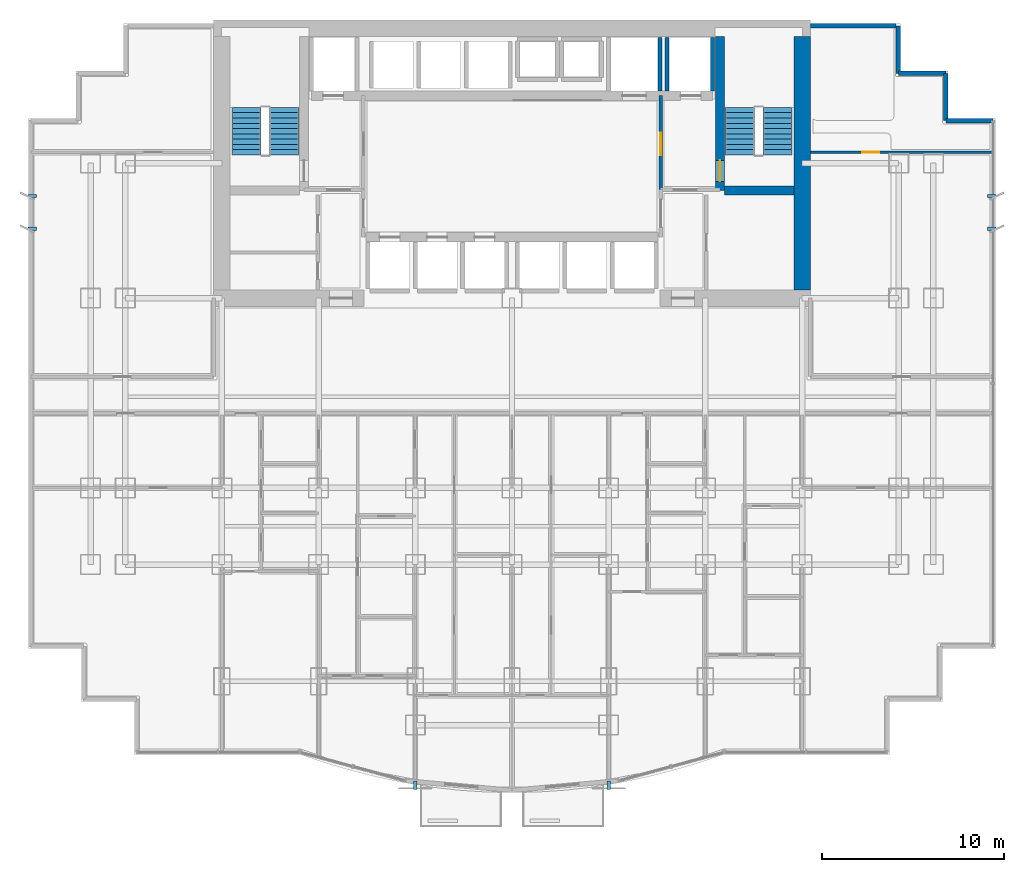
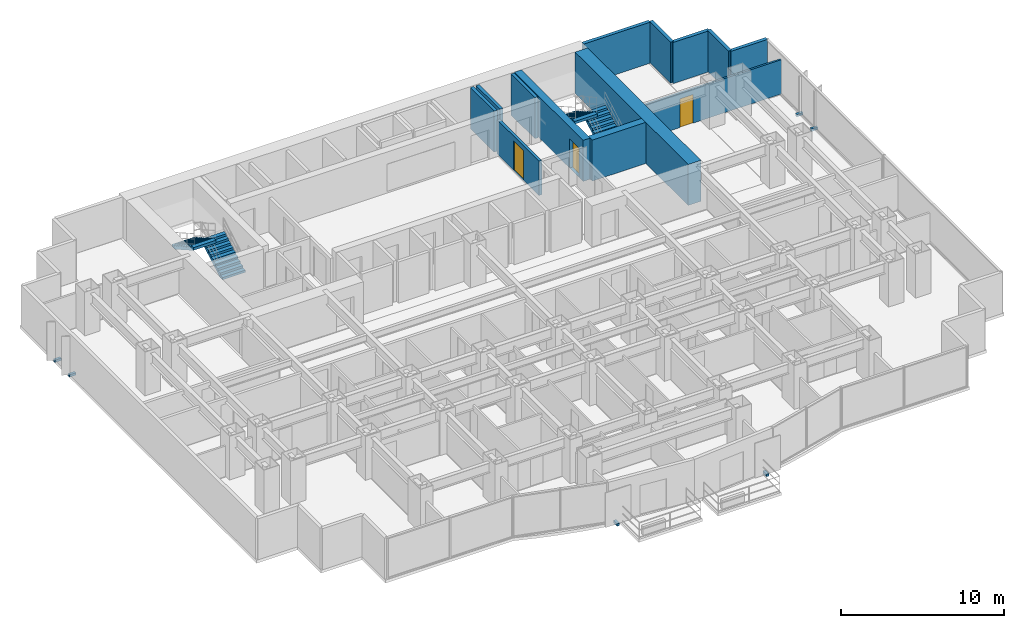
# One storey, part 10 of 12: 13 walls, 6 discrete accessories, 4 stair flights, 3 doors, 3 openings, 2 elements without a shape of their own.
"""IFC4 building model written with IfcOpenShell, lengths in metres."""

from ifc_helpers import new_model, si_unit, direction, frame, frame_2d, origin, origin_2d, place, context, subcontext, project, spatial, polyline, rectangle, outline, extrude, source, transform, mapped, material, layer, layer_set, type_object, element, fill, aggregate, save


model = new_model("IFC4")

# Units and contexts
model_context = context("Model", 3, precision=1e-05, world=origin(), true_north=direction((0.0, 1.0)))
body_context = subcontext(model_context, "Body", "Model", "MODEL_VIEW")
ifc_project = project(units=[si_unit("LENGTHUNIT", "METRE"), si_unit("AREAUNIT", "SQUARE_METRE"), si_unit("VOLUMEUNIT", "CUBIC_METRE"), si_unit("PLANEANGLEUNIT", "RADIAN"), si_unit("MASSUNIT", "GRAM", prefix="KILO")], contexts=[model_context])

# Site, building, storey
site_placement = place(None, origin())
site = spatial("IfcSite", under=ifc_project, at=site_placement, CompositionType="ELEMENT")
building_placement = place(site_placement, origin())
building = spatial("IfcBuilding", under=site, at=building_placement, Name="Qianlan Lanfeng Residences", CompositionType="ELEMENT")
storey_placement = place(building_placement, frame((0.0, 0.0, 63.800048828125)))
storey = spatial("IfcBuildingStorey", under=building, at=storey_placement, Name="L17", CompositionType="ELEMENT", Elevation=63.800048828125)

# Wall, opening, door
ifc_material_1 = material(Name="Concrete C70", Category="concrete")
ifc_layer_1 = layer(ifc_material_1, 0.5)
ifc_layer_set_1 = layer_set([ifc_layer_1], Name="Concrete C70")
wall_type_1 = type_object("IfcWallType", Name="CW-RC-500", PredefinedType="SHEAR", material=ifc_layer_set_1)
wall_1_placement = place(storey_placement, frame((37.89990234375, 31.10009765625, 0.0), z_axis=(0.0, 0.0, 1.0), x_axis=(0.0, 1.0, 0.0)))
wall_1 = element("IfcWall", 1, at=wall_1_placement, inside=storey, type_object=wall_type_1, Name="L17 Core Shear Wall ST2W", PredefinedType="SHEAR", context=body_context, shape_type="SweptSolid", body=[
    extrude(rectangle(XDim=8.449951171875, YDim=0.5, at=frame_2d((4.22509765625, 0.0))), origin(), (0.0, 0.0, 1.0), 3.079833984375),
])
opening_1_placement = place(wall_1_placement, frame((0.510009765625, 0.0, 0.0)))
opening_1 = element("IfcOpeningElement", 2, at=opening_1_placement, cuts=wall_1, Name="Opening L17-D08", PredefinedType="OPENING", context=body_context, shape_type="SweptSolid", body=[
    extrude(rectangle(XDim=1.14990234375, YDim=2.199951171875, at=frame_2d((0.574951171875, 1.10009765625))), frame((0.0, 0.260009765625, 0.0), z_axis=(0.0, -1.0, 0.0), x_axis=(1.0, 0.0, 0.0)), (0.0, 0.0, 1.0), 0.52001953125),
])
ifc_material_2 = material(Name="Painted Galvanised Steel Fire Door", Category="steel")
door_type_1 = type_object("IfcDoorType", Name="DT-ST1", OperationType="NOTDEFINED", PredefinedType="DOOR", material=ifc_material_2)
door_1_placement = place(opening_1_placement, origin())
door_1 = element("IfcDoor", 3, at=door_1_placement, inside=storey, type_object=door_type_1, Name="L17 Exit Stair ST-2 Door L17-D08 (DT-ST1)", OperationType="SINGLE_SWING_RIGHT", OverallHeight=2.199951171875, OverallWidth=1.14990234375, PredefinedType="DOOR", context=body_context, shape_type="SweptSolid", body=[
    extrude(rectangle(XDim=1.14990234375, YDim=2.199951171875, at=frame_2d((0.574951171875, 1.10009765625))), frame((0.0, 0.02490234375, 0.0), z_axis=(0.0, -1.0, 0.0), x_axis=(1.0, 0.0, 0.0)), (0.0, 0.0, 1.0), 0.050048828125),
])
fill(opening_1, door_1)

# Walls
wall_2_placement = place(storey_placement, frame((38.14990234375, 31.10009765625, 0.0), z_axis=(0.0, 0.0, 1.0), x_axis=(1.0, 0.0, 0.0)))
element("IfcWall", 4, at=wall_2_placement, inside=storey, type_object=wall_type_1, Name="L17 Core Shear Wall ST2S", PredefinedType="SHEAR", context=body_context, shape_type="SweptSolid", body=[
    extrude(rectangle(XDim=3.800048828125, YDim=0.5, at=frame_2d((1.89990234375, 0.0))), origin(), (0.0, 0.0, 1.0), 3.079833984375),
])
ifc_layer_2 = layer(ifc_material_1, 0.89990234375)
ifc_layer_set_2 = layer_set([ifc_layer_2], Name="Concrete C70")
wall_type_2 = type_object("IfcWallType", Name="CW-RC-900", PredefinedType="SHEAR", material=ifc_layer_set_2)
wall_3_placement = place(storey_placement, frame((42.39990234375, 25.64990234375, 0.0), z_axis=(0.0, 0.0, 1.0), x_axis=(0.0, 1.0, 0.0)))
element("IfcWall", 5, at=wall_3_placement, inside=storey, type_object=wall_type_2, Name="L17 Core Shear Wall E", PredefinedType="SHEAR", context=body_context, shape_type="SweptSolid", body=[
    extrude(rectangle(XDim=13.900146484375, YDim=0.89990234375, at=frame_2d((6.9501953125, 0.0))), origin(), (0.0, 0.0, 1.0), 3.079833984375),
])
ifc_material_3 = material(Name="Concrete C42", Category="concrete")
ifc_layer_3 = layer(ifc_material_3, 0.239990234375)
ifc_layer_set_3 = layer_set([ifc_layer_3], Name="Concrete C42")
wall_type_3 = type_object("IfcWallType", Name="EW-240", PredefinedType="SOLIDWALL", material=ifc_layer_set_3)
wall_4_placement = place(storey_placement, frame((52.8798828125, 34.929931640625, 0.0), z_axis=(0.0, 0.0, 1.0), x_axis=(-1.0, 0.0, 0.0)))
element("IfcWall", 6, at=wall_4_placement, inside=storey, type_object=wall_type_3, Name="L17 Exterior Facade Spandrel Wall 11", PredefinedType="SOLIDWALL", context=body_context, shape_type="SweptSolid", body=[
    extrude(rectangle(XDim=2.599853515625, YDim=0.239990234375, at=frame_2d((1.2998046875, 0.0))), origin(), (0.0, 0.0, 1.0), 3.079833984375),
])
for number, where, z_axis, x_axis, name in (
    (7, (50.280029296875, 34.929931640625, 0.0), (0.0, 0.0, 1.0), (0.0, 1.0, 0.0), "L17 Exterior Facade Spandrel Wall 12"),
    (8, (50.280029296875, 37.530029296875, 0.0), (0.0, 0.0, 1.0), (-1.0, 0.0, 0.0), "L17 Exterior Facade Spandrel Wall 13"),
):
    element("IfcWall", number, at=place(storey_placement, frame(where, z_axis=z_axis, x_axis=x_axis)), inside=storey, type_object=wall_type_3, Name=name, PredefinedType="SOLIDWALL", context=body_context, shape_type="SweptSolid", body=[
        extrude(rectangle(XDim=2.60009765625, YDim=0.239990234375, at=frame_2d((1.300048828125, 0.0))), origin(), (0.0, 0.0, 1.0), 3.079833984375),
    ])
wall_5_placement = place(storey_placement, frame((47.679931640625, 37.530029296875, 0.0), z_axis=(0.0, 0.0, 1.0), x_axis=(0.0, 1.0, 0.0)))
element("IfcWall", 9, at=wall_5_placement, inside=storey, type_object=wall_type_3, Name="L17 Exterior Facade Spandrel Wall 14", PredefinedType="SOLIDWALL", context=body_context, shape_type="SweptSolid", body=[
    extrude(rectangle(XDim=2.599853515625, YDim=0.239990234375, at=frame_2d((1.2998046875, 0.0))), origin(), (0.0, 0.0, 1.0), 3.079833984375),
])
wall_6_placement = place(storey_placement, frame((47.550048828125, 40.1298828125, 0.0), z_axis=(0.0, 0.0, 1.0), x_axis=(-1.0, 0.0, 0.0)))
element("IfcWall", 10, at=wall_6_placement, inside=storey, type_object=wall_type_3, Name="L17 North Wing Exterior Wall E", PredefinedType="SOLIDWALL", context=body_context, shape_type="SweptSolid", body=[
    extrude(rectangle(XDim=4.699951171875, YDim=0.239990234375, at=frame_2d((2.35009765625, 0.0))), origin(), (0.0, 0.0, 1.0), 3.079833984375),
])

# Wall, opening, door
ifc_material_4 = material(Name="Moisture-Resistant Gypsum Partition 135 mm")
ifc_layer_4 = layer(ifc_material_4, 0.135009765625)
ifc_layer_set_4 = layer_set([ifc_layer_4], Name="Moisture-Resistant Gypsum Partition 135 mm")
wall_type_4 = type_object("IfcWallType", Name="PW-135", PredefinedType="PARTITIONING", material=ifc_layer_set_4)
wall_7_placement = place(storey_placement, frame((42.85009765625, 33.199951171875, 0.0), z_axis=(0.0, 0.0, 1.0), x_axis=(1.0, 0.0, 0.0)))
wall_7 = element("IfcWall", 11, at=wall_7_placement, inside=storey, type_object=wall_type_4, Name="L17 EW North Wing Wall", PredefinedType="PARTITIONING", context=body_context, shape_type="SweptSolid", body=[
    extrude(rectangle(XDim=10.02978515625, YDim=0.135009765625, at=frame_2d((5.014892578125, 0.0))), origin(), (0.0, 0.0, 1.0), 2.570068359375),
])
opening_2_placement = place(wall_7_placement, frame((2.85498046875, 0.0, 0.0)))
opening_2 = element("IfcOpeningElement", 12, at=opening_2_placement, cuts=wall_7, Name="Opening L17-D48", PredefinedType="OPENING", context=body_context, shape_type="SweptSolid", body=[
    extrude(rectangle(XDim=0.919921875, YDim=2.14990234375, at=frame_2d((0.4599609375, 1.074951171875))), frame((0.0, 0.07763671875, 0.0), z_axis=(0.0, -1.0, 0.0), x_axis=(1.0, 0.0, 0.0)), (0.0, 0.0, 1.0), 0.155029296875),
])
ifc_material_5 = material(Name="Glazed Timber Kitchen/Study Door", Category="wood")
door_type_2 = type_object("IfcDoorType", Name="DT-INT", OperationType="NOTDEFINED", PredefinedType="DOOR", material=ifc_material_5)
door_2_placement = place(opening_2_placement, origin())
door_2 = element("IfcDoor", 13, at=door_2_placement, inside=storey, type_object=door_type_2, Name="L17 EW Inner Salon Door L17-D48 (DT-INT)", OperationType="SINGLE_SWING_LEFT", OverallHeight=2.14990234375, OverallWidth=0.919921875, PredefinedType="DOOR", context=body_context, shape_type="SweptSolid", body=[
    extrude(rectangle(XDim=0.919921875, YDim=2.14990234375, at=frame_2d((0.4599609375, 1.074951171875))), frame((0.0, 0.02490234375, 0.0), z_axis=(0.0, -1.0, 0.0), x_axis=(1.0, 0.0, 0.0)), (0.0, 0.0, 1.0), 0.050048828125),
])
fill(opening_2, door_2)

ifc_material_6 = material(Name="Autoclaved Aerated Concrete Blockwork 200 mm", Category="masonry")
ifc_layer_5 = layer(ifc_material_6, 0.199951171875)
ifc_layer_set_5 = layer_set([ifc_layer_5], Name="Autoclaved Aerated Concrete Blockwork 200 mm")
wall_type_5 = type_object("IfcWallType", Name="PW-200", PredefinedType="PARTITIONING", material=ifc_layer_set_5)
wall_8_placement = place(storey_placement, frame((34.64990234375, 31.14990234375, 0.0), z_axis=(0.0, 0.0, 1.0), x_axis=(0.0, 1.0, 0.0)))
wall_8 = element("IfcWall", 14, at=wall_8_placement, inside=storey, type_object=wall_type_5, Name="L17 Firefighting Lobby 2 West Wall", PredefinedType="PARTITIONING", context=body_context, shape_type="SweptSolid", body=[
    extrude(rectangle(XDim=5.150146484375, YDim=0.199951171875, at=frame_2d((2.5751953125, 0.0))), origin(), (0.0, 0.0, 1.0), 2.570068359375),
])
opening_3_placement = place(wall_8_placement, frame((1.875, 0.0, 0.0)))
opening_3 = element("IfcOpeningElement", 15, at=opening_3_placement, cuts=wall_8, Name="Opening L17-D06", PredefinedType="OPENING", context=body_context, shape_type="SweptSolid", body=[
    extrude(rectangle(XDim=1.25, YDim=2.199951171875, at=frame_2d((0.625, 1.10009765625))), frame((0.0, 0.10986328125, 0.0), z_axis=(0.0, -1.0, 0.0), x_axis=(1.0, 0.0, 0.0)), (0.0, 0.0, 1.0), 0.219970703125),
])
door_type_3 = type_object("IfcDoorType", Name="DT-FFL", OperationType="NOTDEFINED", PredefinedType="DOOR", material=ifc_material_2)
door_3_placement = place(opening_3_placement, origin())
door_3 = element("IfcDoor", 16, at=door_3_placement, inside=storey, type_object=door_type_3, Name="L17 Firefighting Lobby 2 Lift Lobby Door L17-D06 (DT-FFL)", OperationType="SINGLE_SWING_LEFT", OverallHeight=2.199951171875, OverallWidth=1.25, PredefinedType="DOOR", context=body_context, shape_type="SweptSolid", body=[
    extrude(rectangle(XDim=1.25, YDim=2.199951171875, at=frame_2d((0.625, 1.10009765625))), frame((0.0, 0.02490234375, 0.0), z_axis=(0.0, -1.0, 0.0), x_axis=(1.0, 0.0, 0.0)), (0.0, 0.0, 1.0), 0.050048828125),
])
fill(opening_3, door_3)

# Walls
ifc_material_7 = material(Name="Concrete C49", Category="concrete")
ifc_layer_6 = layer(ifc_material_7, 0.219970703125)
ifc_layer_set_6 = layer_set([ifc_layer_6], Name="Concrete C49")
wall_type_6 = type_object("IfcWallType", Name="SHW-220", PredefinedType="SOLIDWALL", material=ifc_layer_set_6)
for number, where, z_axis, x_axis, name in (
    (17, (35.0, 36.550048828125, 0.0), (0.0, 0.0, 1.0), (0.0, 1.0, 0.0), "L17 Lift FFL-2 Shaft Wall W"),
    (18, (37.47998046875, 36.550048828125, 0.0), (0.0, 0.0, 1.0), (0.0, 1.0, 0.0), "L17 Lift FFL-2 Shaft Wall E"),
    (19, (34.60009765625, 36.550048828125, 0.0), (0.0, 0.0, 1.0), (0.0, 1.0, 0.0), "L17 Lift SVL-1 Shaft Wall E"),
):
    element("IfcWall", number, at=place(storey_placement, frame(where, z_axis=z_axis, x_axis=x_axis)), inside=storey, type_object=wall_type_6, Name=name, PredefinedType="SOLIDWALL", context=body_context, shape_type="SweptSolid", body=[
        extrude(rectangle(XDim=2.929931640625, YDim=0.219970703125, at=frame_2d((1.46484375, 0.0))), origin(), (0.0, 0.0, 1.0), 3.079833984375),
    ])

# Stair, stair flights
stair_type = type_object("IfcStairType", Name="STR-MAIN", PredefinedType="HALF_TURN_STAIR", material=ifc_material_3)
stair_1_placement = place(storey_placement, origin())
stair_1 = element("IfcStair", 20, at=stair_1_placement, inside=storey, type_object=stair_type, Name="L17 Exit Stair ST-1", PredefinedType="HALF_TURN_STAIR")
stair_flight_type = type_object("IfcStairFlightType", Name="FLT-1720", PredefinedType="STRAIGHT", material=ifc_material_3)
stair_flight_1_placement = place(storey_placement, frame((14.02001953125, 33.050048828125, 0.0), z_axis=(0.0, 0.0, 1.0), x_axis=(0.0, 1.0, 0.0)))
stair_flight_1 = element("IfcStairFlight", 21, at=stair_flight_1_placement, type_object=stair_flight_type, Name="ST-1 flight 1", NumberOfRisers=10, NumberOfTreads=9, PredefinedType="STRAIGHT", RiserHeight=0.165, TreadLength=0.29, context=body_context, shape_type="SweptSolid", body=[
    extrude(outline(polyline([(0.0, 0.0), (0.0, 0.1650390625), (0.2900390625, 0.1650390625), (0.2900390625, 0.330078125), (0.580078125, 0.330078125), (0.580078125, 0.4951171875), (0.8701171875, 0.4951171875), (0.8701171875, 0.659912109375), (1.159912109375, 0.659912109375), (1.159912109375, 0.824951171875), (1.449951171875, 0.824951171875), (1.449951171875, 0.989990234375), (1.739990234375, 0.989990234375), (1.739990234375, 1.155029296875), (2.030029296875, 1.155029296875), (2.030029296875, 1.320068359375), (2.320068359375, 1.320068359375), (2.320068359375, 1.485107421875), (2.610107421875, 1.485107421875), (2.610107421875, 1.64990234375), (2.610107421875, 1.278076171875), (0.36376953125, 0.0), (0.0, 0.0)])), frame((0.0, 0.800048828125, 0.0), z_axis=(0.0, -1.0, 0.0), x_axis=(1.0, 0.0, 0.0)), (0.0, 0.0, 1.0), 1.60009765625),
])
stair_flight_2_placement = place(storey_placement, frame((11.93994140625, 35.659912109375, 1.64990234375), z_axis=(0.0, 0.0, 1.0), x_axis=(0.0, -1.0, 0.0)))
stair_flight_2 = element("IfcStairFlight", 22, at=stair_flight_2_placement, type_object=stair_flight_type, Name="ST-1 flight 2", NumberOfRisers=10, NumberOfTreads=9, PredefinedType="STRAIGHT", RiserHeight=0.165, TreadLength=0.29, context=body_context, shape_type="SweptSolid", body=[
    extrude(outline(polyline([(0.0, 0.0), (0.0, 0.1650390625), (0.2900390625, 0.1650390625), (0.2900390625, 0.330078125), (0.580078125, 0.330078125), (0.580078125, 0.4951171875), (0.8701171875, 0.4951171875), (0.8701171875, 0.659912109375), (1.159912109375, 0.659912109375), (1.159912109375, 0.824951171875), (1.449951171875, 0.824951171875), (1.449951171875, 0.989990234375), (1.739990234375, 0.989990234375), (1.739990234375, 1.155029296875), (2.030029296875, 1.155029296875), (2.030029296875, 1.320068359375), (2.320068359375, 1.320068359375), (2.320068359375, 1.485107421875), (2.610107421875, 1.485107421875), (2.610107421875, 1.64990234375), (2.610107421875, 1.278076171875), (0.36376953125, 0.0), (0.0, 0.0)])), frame((0.0, 0.800048828125, 0.0), z_axis=(0.0, -1.0, 0.0), x_axis=(1.0, 0.0, 0.0)), (0.0, 0.0, 1.0), 1.60009765625),
])
aggregate(stair_1, [stair_flight_1, stair_flight_2])

stair_2_placement = place(storey_placement, origin())
stair_2 = element("IfcStair", 23, at=stair_2_placement, inside=storey, type_object=stair_type, Name="L17 Exit Stair ST-2", PredefinedType="HALF_TURN_STAIR")
stair_flight_3_placement = place(storey_placement, frame((41.06005859375, 33.050048828125, 0.0), z_axis=(0.0, 0.0, 1.0), x_axis=(0.0, 1.0, 0.0)))
stair_flight_3 = element("IfcStairFlight", 24, at=stair_flight_3_placement, type_object=stair_flight_type, Name="ST-2 flight 1", NumberOfRisers=10, NumberOfTreads=9, PredefinedType="STRAIGHT", RiserHeight=0.165, TreadLength=0.29, context=body_context, shape_type="SweptSolid", body=[
    extrude(outline(polyline([(0.0, 0.0), (0.0, 0.1650390625), (0.2900390625, 0.1650390625), (0.2900390625, 0.330078125), (0.580078125, 0.330078125), (0.580078125, 0.4951171875), (0.8701171875, 0.4951171875), (0.8701171875, 0.659912109375), (1.159912109375, 0.659912109375), (1.159912109375, 0.824951171875), (1.449951171875, 0.824951171875), (1.449951171875, 0.989990234375), (1.739990234375, 0.989990234375), (1.739990234375, 1.155029296875), (2.030029296875, 1.155029296875), (2.030029296875, 1.320068359375), (2.320068359375, 1.320068359375), (2.320068359375, 1.485107421875), (2.610107421875, 1.485107421875), (2.610107421875, 1.64990234375), (2.610107421875, 1.278076171875), (0.36376953125, 0.0), (0.0, 0.0)])), frame((0.0, 0.800048828125, 0.0), z_axis=(0.0, -1.0, 0.0), x_axis=(1.0, 0.0, 0.0)), (0.0, 0.0, 1.0), 1.60009765625),
])
stair_flight_4_placement = place(storey_placement, frame((38.97998046875, 35.659912109375, 1.64990234375), z_axis=(0.0, 0.0, 1.0), x_axis=(0.0, -1.0, 0.0)))
stair_flight_4 = element("IfcStairFlight", 25, at=stair_flight_4_placement, type_object=stair_flight_type, Name="ST-2 flight 2", NumberOfRisers=10, NumberOfTreads=9, PredefinedType="STRAIGHT", RiserHeight=0.165, TreadLength=0.29, context=body_context, shape_type="SweptSolid", body=[
    extrude(outline(polyline([(0.0, 0.0), (0.0, 0.1650390625), (0.2900390625, 0.1650390625), (0.2900390625, 0.330078125), (0.580078125, 0.330078125), (0.580078125, 0.4951171875), (0.8701171875, 0.4951171875), (0.8701171875, 0.659912109375), (1.159912109375, 0.659912109375), (1.159912109375, 0.824951171875), (1.449951171875, 0.824951171875), (1.449951171875, 0.989990234375), (1.739990234375, 0.989990234375), (1.739990234375, 1.155029296875), (2.030029296875, 1.155029296875), (2.030029296875, 1.320068359375), (2.320068359375, 1.320068359375), (2.320068359375, 1.485107421875), (2.610107421875, 1.485107421875), (2.610107421875, 1.64990234375), (2.610107421875, 1.278076171875), (0.36376953125, 0.0), (0.0, 0.0)])), frame((0.0, 0.800048828125, 0.0), z_axis=(0.0, -1.0, 0.0), x_axis=(1.0, 0.0, 0.0)), (0.0, 0.0, 1.0), 1.60009765625),
])
aggregate(stair_2, [stair_flight_3, stair_flight_4])

# Discrete accessories
ifc_material_8 = material(Name="Stainless Steel Facade Bracket", Category="steel")
discrete_accessory_type = type_object("IfcDiscreteAccessoryType", Name="BRK-SS-350", PredefinedType="BRACKET", material=ifc_material_8)
shared_shape_1 = source(origin(), body_context, "Body", "SweptSolid", [
    extrude(rectangle(XDim=0.179931640625, YDim=0.449951171875, at=origin_2d()), origin(), (0.0, 0.0, 1.0), 0.179931640625),
])
for number, where, z_axis, x_axis, name in (
    (26, (21.199951171875, -1.5, -0.14990234375), (0.0, 0.0, 1.0), (1.0, 0.0, 0.0), "L17 Solar Screen Support Bracket 1"),
    (27, (31.800048828125, -1.5, -0.14990234375), (0.0, 0.0, 1.0), (1.0, 0.0, 0.0), "L17 Solar Screen Support Bracket 2"),
):
    element("IfcDiscreteAccessory", number, at=place(storey_placement, frame(where, z_axis=z_axis, x_axis=x_axis)), inside=storey, type_object=discrete_accessory_type, Name=name, PredefinedType="BRACKET", context=body_context, shape_type="MappedRepresentation", body=[
        mapped(shared_shape_1, transform((0.0, 0.0, 0.0), scale=1.0)),
    ])
shared_shape_2 = source(origin(), body_context, "Body", "SweptSolid", [
    extrude(rectangle(XDim=0.449951171875, YDim=0.179931640625, at=origin_2d()), origin(), (0.0, 0.0, 1.0), 0.179931640625),
])
for number, where, z_axis, x_axis, name in (
    (28, (0.199951171875, 29.0, -0.14990234375), (0.0, 0.0, 1.0), (1.0, 0.0, 0.0), "L17 Raked Solar Fin Support Bracket W1"),
    (29, (0.199951171875, 30.800048828125, -0.14990234375), (0.0, 0.0, 1.0), (1.0, 0.0, 0.0), "L17 Raked Solar Fin Support Bracket W2"),
    (30, (52.800048828125, 29.0, -0.14990234375), (0.0, 0.0, 1.0), (1.0, 0.0, 0.0), "L17 Raked Solar Fin Support Bracket E1"),
    (31, (52.800048828125, 30.800048828125, -0.14990234375), (0.0, 0.0, 1.0), (1.0, 0.0, 0.0), "L17 Raked Solar Fin Support Bracket E2"),
):
    element("IfcDiscreteAccessory", number, at=place(storey_placement, frame(where, z_axis=z_axis, x_axis=x_axis)), inside=storey, type_object=discrete_accessory_type, Name=name, PredefinedType="BRACKET", context=body_context, shape_type="MappedRepresentation", body=[
        mapped(shared_shape_2, transform((0.0, 0.0, 0.0), scale=1.0)),
    ])

save(model, "model.ifc")
